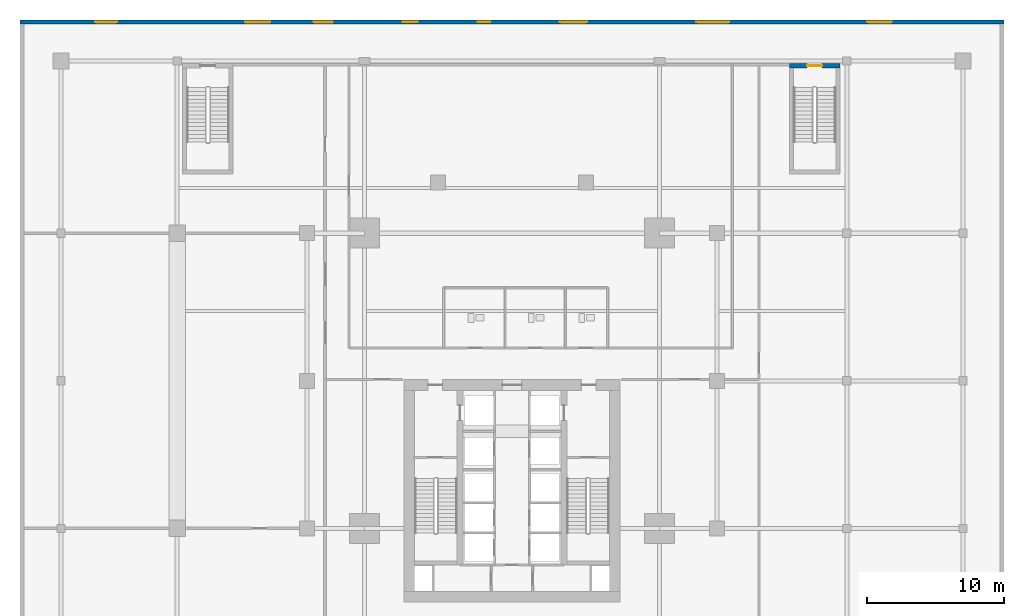
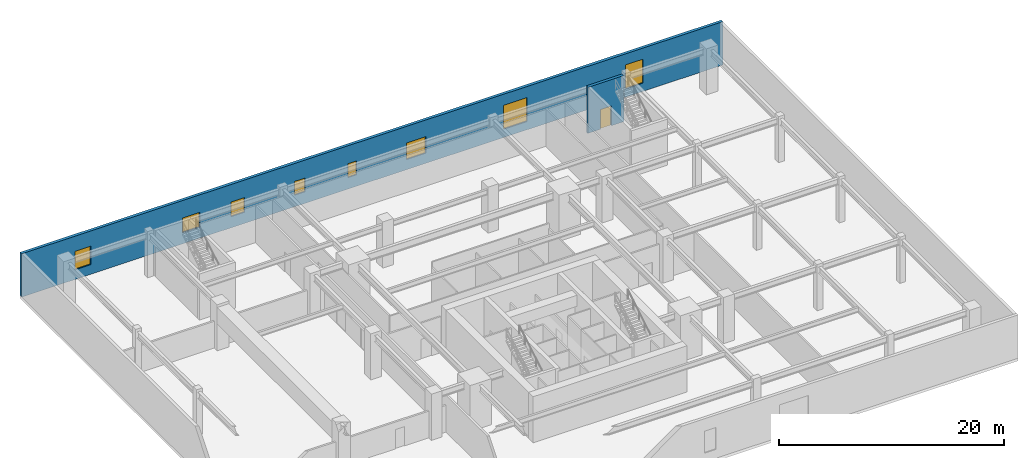
# One storey, part 6 of 10: 8 windows, 2 walls, 1 door, 9 openings.
"""IFC4 building model written with IfcOpenShell, lengths in metres."""

from ifc_helpers import new_model, si_unit, direction, frame, frame_2d, origin, place, context, subcontext, project, spatial, rectangle, extrude, material, layer, layer_set, type_object, element, fill, save


model = new_model("IFC4")

# Units and contexts
model_context = context("Model", 3, precision=1e-05, world=origin(), true_north=direction((0.0, 1.0)))
body_context = subcontext(model_context, "Body", "Model", "MODEL_VIEW")
ifc_project = project(units=[si_unit("LENGTHUNIT", "METRE"), si_unit("AREAUNIT", "SQUARE_METRE"), si_unit("VOLUMEUNIT", "CUBIC_METRE"), si_unit("PLANEANGLEUNIT", "RADIAN"), si_unit("MASSUNIT", "GRAM", prefix="KILO")], contexts=[model_context])

# Site, building, storey
site_placement = place(None, origin())
site = spatial("IfcSite", under=ifc_project, at=site_placement, CompositionType="ELEMENT")
building_placement = place(site_placement, origin())
building = spatial("IfcBuilding", under=site, at=building_placement, Name="Krantzveldt Concourse Tower", CompositionType="ELEMENT")
storey_placement = place(building_placement, frame((0.0, 0.0, 5.39990234375)))
storey = spatial("IfcBuildingStorey", under=building, at=storey_placement, Name="L01", CompositionType="ELEMENT", Elevation=5.39990234375)

# Wall, openings, windows
ifc_material_1 = material(Name="Concrete C40/50", Category="concrete")
ifc_layer_1 = layer(ifc_material_1, 0.300048828125, Name="Concrete C40/50", Category="concrete")
ifc_layer_set_1 = layer_set([ifc_layer_1], Name="Concrete C40/50 (WL-EXT-GRAN300)")
wall_type_1 = type_object("IfcWallType", Name="WL-EXT-GRAN300", PredefinedType="SOLIDWALL", material=ifc_layer_set_1)
wall_1_placement = place(storey_placement, frame((0.0, 52.949951171875, 0.0), z_axis=(0.0, 0.0, 1.0), x_axis=(1.0, 0.0, 0.0)))
wall_1 = element("IfcWall", 1, at=wall_1_placement, inside=storey, type_object=wall_type_1, Name="EW-L01-N", PredefinedType="SOLIDWALL", context=body_context, shape_type="SweptSolid", body=[
    extrude(rectangle(XDim=72.0, YDim=0.300048828125, at=frame_2d((36.0, 0.0))), origin(), (0.0, 0.0, 1.0), 4.7001953125),
])
opening_1_placement = place(wall_1_placement, frame((5.5, 0.0, 1.050048828125)))
opening_1 = element("IfcOpeningElement", 2, at=opening_1_placement, cuts=wall_1, Name="Opening W-POD-1600x2000", PredefinedType="OPENING", context=body_context, shape_type="SweptSolid", body=[
    extrude(rectangle(XDim=1.60009765625, YDim=2.0, at=frame_2d((0.800048828125, 1.0))), frame((0.0, 0.16015625, 0.0), z_axis=(0.0, -1.0, 0.0), x_axis=(1.0, 0.0, 0.0)), (0.0, 0.0, 1.0), 0.320068359375),
])
opening_2_placement = place(wall_1_placement, frame((16.5, 0.0, 1.199951171875)))
opening_2 = element("IfcOpeningElement", 3, at=opening_2_placement, cuts=wall_1, Name="Opening W-POD-1800x1600", PredefinedType="OPENING", context=body_context, shape_type="SweptSolid", body=[
    extrude(rectangle(XDim=1.800048828125, YDim=1.60009765625, at=frame_2d((0.89990234375, 0.800048828125))), frame((0.0, 0.16015625, 0.0), z_axis=(0.0, -1.0, 0.0), x_axis=(1.0, 0.0, 0.0)), (0.0, 0.0, 1.0), 0.320068359375),
])
opening_3_placement = place(wall_1_placement, frame((21.5, 0.0, 1.199951171875)))
opening_3 = element("IfcOpeningElement", 4, at=opening_3_placement, cuts=wall_1, Name="Opening W-POD-1400x1600", PredefinedType="OPENING", context=body_context, shape_type="SweptSolid", body=[
    extrude(rectangle(XDim=1.39990234375, YDim=1.60009765625, at=frame_2d((0.699951171875, 0.800048828125))), frame((0.0, 0.16015625, 0.0), z_axis=(0.0, -1.0, 0.0), x_axis=(1.0, 0.0, 0.0)), (0.0, 0.0, 1.0), 0.320068359375),
])
opening_4_placement = place(wall_1_placement, frame((28.0, 0.0, 1.25)))
opening_4 = element("IfcOpeningElement", 5, at=opening_4_placement, cuts=wall_1, Name="Opening W-POD-1100x1500", PredefinedType="OPENING", context=body_context, shape_type="SweptSolid", body=[
    extrude(rectangle(XDim=1.10009765625, YDim=1.5, at=frame_2d((0.550048828125, 0.75))), frame((0.0, 0.16015625, 0.0), z_axis=(0.0, -1.0, 0.0), x_axis=(1.0, 0.0, 0.0)), (0.0, 0.0, 1.0), 0.320068359375),
])
opening_5_placement = place(wall_1_placement, frame((33.5, 0.0, 1.25)))
opening_5 = element("IfcOpeningElement", 6, at=opening_5_placement, cuts=wall_1, Name="Opening W-POD-0900x1500", PredefinedType="OPENING", context=body_context, shape_type="SweptSolid", body=[
    extrude(rectangle(XDim=0.89990234375, YDim=1.5, at=frame_2d((0.449951171875, 0.75))), frame((0.0, 0.16015625, 0.0), z_axis=(0.0, -1.0, 0.0), x_axis=(1.0, 0.0, 0.0)), (0.0, 0.0, 1.0), 0.320068359375),
])
opening_6_placement = place(wall_1_placement, frame((39.5, 0.0, 1.10009765625)))
opening_6 = element("IfcOpeningElement", 7, at=opening_6_placement, cuts=wall_1, Name="Opening W-POD-2000x1800", PredefinedType="OPENING", context=body_context, shape_type="SweptSolid", body=[
    extrude(rectangle(XDim=2.0, YDim=1.800048828125, at=frame_2d((1.0, 0.89990234375))), frame((0.0, 0.16015625, 0.0), z_axis=(0.0, -1.0, 0.0), x_axis=(1.0, 0.0, 0.0)), (0.0, 0.0, 1.0), 0.320068359375),
])
opening_7_placement = place(wall_1_placement, frame((49.5, 0.0, 0.89990234375)))
opening_7 = element("IfcOpeningElement", 8, at=opening_7_placement, cuts=wall_1, Name="Opening W-POD-2400x2600", PredefinedType="OPENING", context=body_context, shape_type="SweptSolid", body=[
    extrude(rectangle(XDim=2.39990234375, YDim=2.60009765625, at=frame_2d((1.199951171875, 1.300048828125))), frame((0.0, 0.16015625, 0.0), z_axis=(0.0, -1.0, 0.0), x_axis=(1.0, 0.0, 0.0)), (0.0, 0.0, 1.0), 0.320068359375),
])
opening_8_placement = place(wall_1_placement, frame((62.0, 0.0, 0.89990234375)))
opening_8 = element("IfcOpeningElement", 9, at=opening_8_placement, cuts=wall_1, Name="Opening W-POD-1800x2600", PredefinedType="OPENING", context=body_context, shape_type="SweptSolid", body=[
    extrude(rectangle(XDim=1.800048828125, YDim=2.60009765625, at=frame_2d((0.89990234375, 1.300048828125))), frame((0.0, 0.16015625, 0.0), z_axis=(0.0, -1.0, 0.0), x_axis=(1.0, 0.0, 0.0)), (0.0, 0.0, 1.0), 0.320068359375),
])
ifc_material_2 = material(Name="Bronze-tinted laminated low-E IGU glass", Category="glass")
window_type_1 = type_object("IfcWindowType", Name="WN-POD-0900x1500", PartitioningType="SINGLE_PANEL", PredefinedType="WINDOW", material=ifc_material_2)
window_1_placement = place(opening_5_placement, origin())
window_1 = element("IfcWindow", 10, at=window_1_placement, inside=storey, type_object=window_type_1, Name="WN-L01-N05", OverallHeight=1.5, OverallWidth=0.89990234375, PartitioningType="SINGLE_PANEL", PredefinedType="WINDOW", context=body_context, shape_type="SweptSolid", body=[
    extrude(rectangle(XDim=0.89990234375, YDim=1.5, at=frame_2d((0.449951171875, 0.75))), frame((0.0, 0.030029296875, 0.0), z_axis=(0.0, -1.0, 0.0), x_axis=(1.0, 0.0, 0.0)), (0.0, 0.0, 1.0), 0.06005859375),
])
fill(opening_5, window_1)
window_type_2 = type_object("IfcWindowType", Name="WN-POD-1100x1500", PartitioningType="SINGLE_PANEL", PredefinedType="WINDOW", material=ifc_material_2)
window_2_placement = place(opening_4_placement, origin())
window_2 = element("IfcWindow", 11, at=window_2_placement, inside=storey, type_object=window_type_2, Name="WN-L01-N04", OverallHeight=1.5, OverallWidth=1.10009765625, PartitioningType="SINGLE_PANEL", PredefinedType="WINDOW", context=body_context, shape_type="SweptSolid", body=[
    extrude(rectangle(XDim=1.10009765625, YDim=1.5, at=frame_2d((0.550048828125, 0.75))), frame((0.0, 0.030029296875, 0.0), z_axis=(0.0, -1.0, 0.0), x_axis=(1.0, 0.0, 0.0)), (0.0, 0.0, 1.0), 0.06005859375),
])
fill(opening_4, window_2)
window_type_3 = type_object("IfcWindowType", Name="WN-POD-1400x1600", PartitioningType="SINGLE_PANEL", PredefinedType="WINDOW", material=ifc_material_2)
window_3_placement = place(opening_3_placement, origin())
window_3 = element("IfcWindow", 12, at=window_3_placement, inside=storey, type_object=window_type_3, Name="WN-L01-N03", OverallHeight=1.60009765625, OverallWidth=1.39990234375, PartitioningType="SINGLE_PANEL", PredefinedType="WINDOW", context=body_context, shape_type="SweptSolid", body=[
    extrude(rectangle(XDim=1.39990234375, YDim=1.60009765625, at=frame_2d((0.699951171875, 0.800048828125))), frame((0.0, 0.030029296875, 0.0), z_axis=(0.0, -1.0, 0.0), x_axis=(1.0, 0.0, 0.0)), (0.0, 0.0, 1.0), 0.06005859375),
])
fill(opening_3, window_3)
window_type_4 = type_object("IfcWindowType", Name="WN-POD-1600x2000", PartitioningType="SINGLE_PANEL", PredefinedType="WINDOW", material=ifc_material_2)
window_4_placement = place(opening_1_placement, origin())
window_4 = element("IfcWindow", 13, at=window_4_placement, inside=storey, type_object=window_type_4, Name="WN-L01-N01", OverallHeight=2.0, OverallWidth=1.60009765625, PartitioningType="SINGLE_PANEL", PredefinedType="WINDOW", context=body_context, shape_type="SweptSolid", body=[
    extrude(rectangle(XDim=1.60009765625, YDim=2.0, at=frame_2d((0.800048828125, 1.0))), frame((0.0, 0.030029296875, 0.0), z_axis=(0.0, -1.0, 0.0), x_axis=(1.0, 0.0, 0.0)), (0.0, 0.0, 1.0), 0.06005859375),
])
fill(opening_1, window_4)
window_type_5 = type_object("IfcWindowType", Name="WN-POD-1800x1600", PartitioningType="SINGLE_PANEL", PredefinedType="WINDOW", material=ifc_material_2)
window_5_placement = place(opening_2_placement, origin())
window_5 = element("IfcWindow", 14, at=window_5_placement, inside=storey, type_object=window_type_5, Name="WN-L01-N02", OverallHeight=1.60009765625, OverallWidth=1.800048828125, PartitioningType="SINGLE_PANEL", PredefinedType="WINDOW", context=body_context, shape_type="SweptSolid", body=[
    extrude(rectangle(XDim=1.800048828125, YDim=1.60009765625, at=frame_2d((0.89990234375, 0.800048828125))), frame((0.0, 0.030029296875, 0.0), z_axis=(0.0, -1.0, 0.0), x_axis=(1.0, 0.0, 0.0)), (0.0, 0.0, 1.0), 0.06005859375),
])
fill(opening_2, window_5)
window_type_6 = type_object("IfcWindowType", Name="WN-POD-1800x2600", PartitioningType="SINGLE_PANEL", PredefinedType="WINDOW", material=ifc_material_2)
window_6_placement = place(opening_8_placement, origin())
window_6 = element("IfcWindow", 15, at=window_6_placement, inside=storey, type_object=window_type_6, Name="WN-L01-N08", OverallHeight=2.60009765625, OverallWidth=1.800048828125, PartitioningType="SINGLE_PANEL", PredefinedType="WINDOW", context=body_context, shape_type="SweptSolid", body=[
    extrude(rectangle(XDim=1.800048828125, YDim=2.60009765625, at=frame_2d((0.89990234375, 1.300048828125))), frame((0.0, 0.030029296875, 0.0), z_axis=(0.0, -1.0, 0.0), x_axis=(1.0, 0.0, 0.0)), (0.0, 0.0, 1.0), 0.06005859375),
])
fill(opening_8, window_6)
window_type_7 = type_object("IfcWindowType", Name="WN-POD-2000x1800", PartitioningType="SINGLE_PANEL", PredefinedType="WINDOW", material=ifc_material_2)
window_7_placement = place(opening_6_placement, origin())
window_7 = element("IfcWindow", 16, at=window_7_placement, inside=storey, type_object=window_type_7, Name="WN-L01-N06", OverallHeight=1.800048828125, OverallWidth=2.0, PartitioningType="SINGLE_PANEL", PredefinedType="WINDOW", context=body_context, shape_type="SweptSolid", body=[
    extrude(rectangle(XDim=2.0, YDim=1.800048828125, at=frame_2d((1.0, 0.89990234375))), frame((0.0, 0.030029296875, 0.0), z_axis=(0.0, -1.0, 0.0), x_axis=(1.0, 0.0, 0.0)), (0.0, 0.0, 1.0), 0.06005859375),
])
fill(opening_6, window_7)
window_type_8 = type_object("IfcWindowType", Name="WN-POD-2400x2600", PartitioningType="SINGLE_PANEL", PredefinedType="WINDOW", material=ifc_material_2)
window_8_placement = place(opening_7_placement, origin())
window_8 = element("IfcWindow", 17, at=window_8_placement, inside=storey, type_object=window_type_8, Name="WN-L01-N07", OverallHeight=2.60009765625, OverallWidth=2.39990234375, PartitioningType="SINGLE_PANEL", PredefinedType="WINDOW", context=body_context, shape_type="SweptSolid", body=[
    extrude(rectangle(XDim=2.39990234375, YDim=2.60009765625, at=frame_2d((1.199951171875, 1.300048828125))), frame((0.0, 0.030029296875, 0.0), z_axis=(0.0, -1.0, 0.0), x_axis=(1.0, 0.0, 0.0)), (0.0, 0.0, 1.0), 0.06005859375),
])
fill(opening_7, window_8)

# Wall, opening, door
ifc_material_3 = material(Name="Concrete C50/60", Category="concrete")
ifc_layer_2 = layer(ifc_material_3, 0.300048828125, Name="Concrete C50/60", Category="concrete")
ifc_layer_set_2 = layer_set([ifc_layer_2], Name="Concrete C50/60 (WL-SHEAR-300)")
wall_type_2 = type_object("IfcWallType", Name="WL-SHEAR-300", PredefinedType="SHEAR", material=ifc_layer_set_2)
wall_2_placement = place(storey_placement, frame((60.0, 49.75, 0.0), z_axis=(0.0, 0.0, 1.0), x_axis=(-1.0, 0.0, 0.0)))
wall_2 = element("IfcWall", 18, at=wall_2_placement, inside=storey, type_object=wall_type_2, Name="CW-L01-ST4-N", PredefinedType="SHEAR", context=body_context, shape_type="SweptSolid", body=[
    extrude(rectangle(XDim=3.699951171875, YDim=0.300048828125, at=frame_2d((1.85009765625, 0.0))), origin(), (0.0, 0.0, 1.0), 5.0),
])
opening_9_placement = place(wall_2_placement, frame((1.300048828125, 0.0, 0.0)))
opening_9 = element("IfcOpeningElement", 19, at=opening_9_placement, cuts=wall_2, Name="Opening D-FD110", PredefinedType="OPENING", context=body_context, shape_type="SweptSolid", body=[
    extrude(rectangle(XDim=1.10009765625, YDim=2.14990234375, at=frame_2d((0.550048828125, 1.074951171875))), frame((0.0, 0.16015625, 0.0), z_axis=(0.0, -1.0, 0.0), x_axis=(1.0, 0.0, 0.0)), (0.0, 0.0, 1.0), 0.320068359375),
])
ifc_material_4 = material(Name="Galvanised steel", Category="steel")
door_type = type_object("IfcDoorType", Name="DR-FD120-1100", OperationType="SINGLE_SWING_LEFT", PredefinedType="DOOR", material=ifc_material_4)
door_placement = place(opening_9_placement, origin())
door = element("IfcDoor", 20, at=door_placement, inside=storey, type_object=door_type, Name="DR-L01-ST4", OperationType="SINGLE_SWING_LEFT", OverallHeight=2.14990234375, OverallWidth=1.10009765625, PredefinedType="DOOR", context=body_context, shape_type="SweptSolid", body=[
    extrude(rectangle(XDim=1.10009765625, YDim=2.14990234375, at=frame_2d((0.550048828125, 1.074951171875))), frame((0.0, 0.02490234375, 0.0), z_axis=(0.0, -1.0, 0.0), x_axis=(1.0, 0.0, 0.0)), (0.0, 0.0, 1.0), 0.050048828125),
])
fill(opening_9, door)

save(model, "model.ifc")
